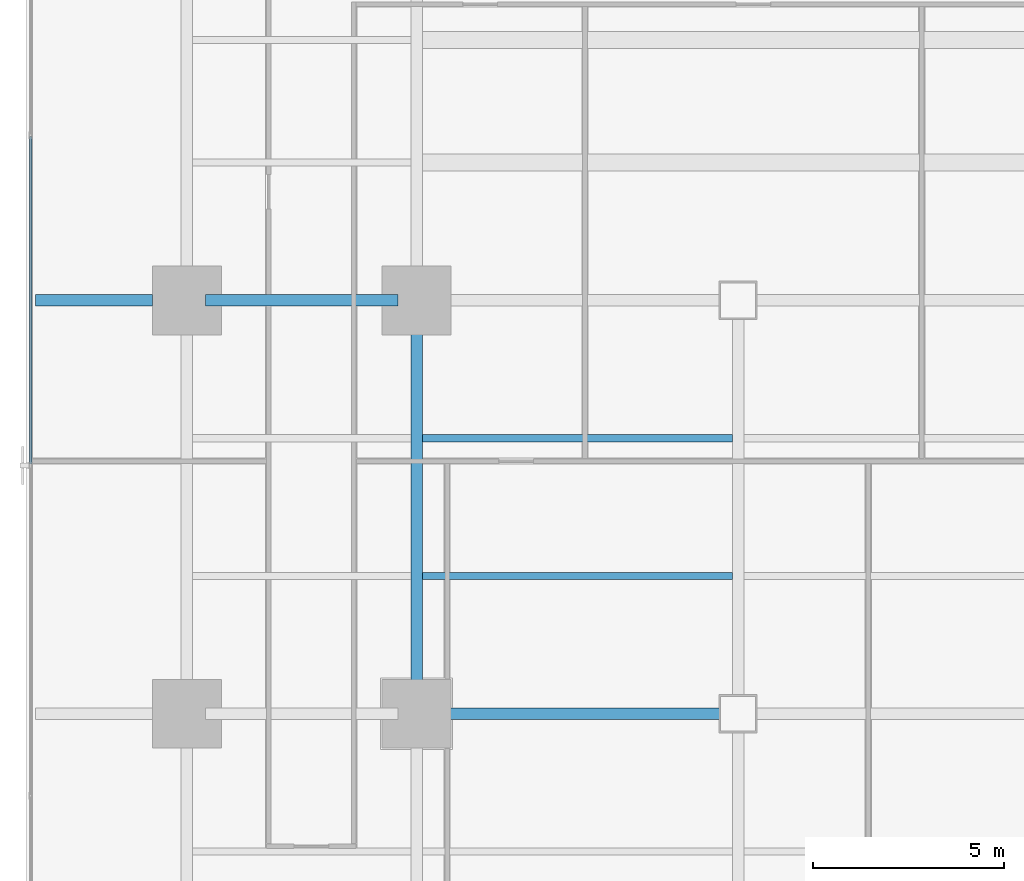
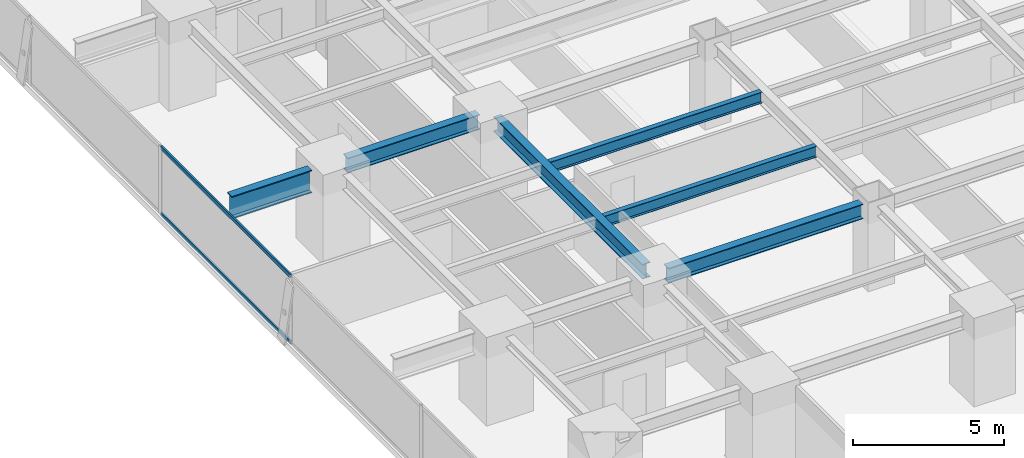
# One storey, part 8 of 33: 6 beams, 2 members, 1 element without a shape of its own.
"""IFC4 building model written with IfcOpenShell, lengths in metres."""

from ifc_helpers import new_model, si_unit, direction, frame, origin, origin_2d, place, context, subcontext, project, spatial, hollow_rectangle, i_section, extrude, source, transform, mapped, material, layer, layer_set, material_profile, profile_set, type_object, element, aggregate, save


model = new_model("IFC4")

# Units and contexts
model_context = context("Model", 3, precision=1e-05, world=origin(), true_north=direction((0.0, 1.0)))
body_context = subcontext(model_context, "Body", "Model", "MODEL_VIEW")
ifc_project = project(units=[si_unit("LENGTHUNIT", "METRE"), si_unit("AREAUNIT", "SQUARE_METRE"), si_unit("VOLUMEUNIT", "CUBIC_METRE"), si_unit("PLANEANGLEUNIT", "RADIAN"), si_unit("MASSUNIT", "GRAM", prefix="KILO")], contexts=[model_context])

# Site, building, storey
site_placement = place(None, origin())
site = spatial("IfcSite", under=ifc_project, at=site_placement, CompositionType="ELEMENT")
building_placement = place(site_placement, origin())
building = spatial("IfcBuilding", under=site, at=building_placement, Name="Sumidabori Civic Tower", CompositionType="ELEMENT")
storey_placement = place(building_placement, frame((0.0, 0.0, 23.60009765625)))
storey = spatial("IfcBuildingStorey", under=building, at=storey_placement, Name="L05", CompositionType="ELEMENT", Elevation=23.60009765625)

# Beams
ifc_material_1 = material(Name="Steel SN490", Category="steel")
ifc_material_profile_1 = material_profile(ifc_material_1, i_section(OverallWidth=0.300048828125, OverallDepth=0.60009765625, WebThickness=0.015380859375, FlangeThickness=0.030029296875, at=origin_2d()), Name="HE 600 B")
ifc_profile_set_1 = profile_set([ifc_material_profile_1], Name="Steel SN490")
beam_type_1 = type_object("IfcBeamType", Name="BM-GIRD-600", PredefinedType="BEAM", material=ifc_profile_set_1)
shared_shape_1 = source(origin(), body_context, "Body", "SweptSolid", [
    extrude(i_section(OverallWidth=0.300048828125, OverallDepth=0.60009765625, WebThickness=0.015380859375, FlangeThickness=0.030029296875, at=origin_2d()), origin(), (0.0, 0.0, 1.0), 5.0400390625),
])
beam_1_placement = place(storey_placement, frame((-22.320068359375, 0.0, 3.059814453125), z_axis=(1.0, 0.0, 0.0), x_axis=(0.0, 1.0, 0.0)))
element("IfcBeam", 1, at=beam_1_placement, inside=storey, type_object=beam_type_1, Name="Primary Girder L05 GX-13", PredefinedType="BEAM", context=body_context, shape_type="MappedRepresentation", body=[
    mapped(shared_shape_1, transform((0.0, 0.0, 0.0), x_axis=(1.0, 0.0, 0.0), y_axis=(0.0, 1.0, 0.0), z_axis=(0.0, 0.0, 1.0), scale=1.0)),
])
shared_shape_2 = source(origin(), body_context, "Body", "SweptSolid", [
    extrude(i_section(OverallWidth=0.300048828125, OverallDepth=0.60009765625, WebThickness=0.015380859375, FlangeThickness=0.030029296875, at=origin_2d()), origin(), (0.0, 0.0, 1.0), 7.440185546875),
])
beam_2_placement = place(storey_placement, frame((-16.320068359375, -10.800048828125, 3.059814453125), z_axis=(1.0, 0.0, 0.0), x_axis=(0.0, 1.0, 0.0)))
element("IfcBeam", 2, at=beam_2_placement, inside=storey, type_object=beam_type_1, Name="Primary Girder L05 GX-08", PredefinedType="BEAM", context=body_context, shape_type="MappedRepresentation", body=[
    mapped(shared_shape_2, transform((0.0, 0.0, 0.0), x_axis=(1.0, 0.0, 0.0), y_axis=(0.0, 1.0, 0.0), z_axis=(0.0, 0.0, 1.0), scale=1.0)),
])
shared_shape_3 = source(origin(), body_context, "Body", "SweptSolid", [
    extrude(i_section(OverallWidth=0.300048828125, OverallDepth=0.60009765625, WebThickness=0.015380859375, FlangeThickness=0.030029296875, at=origin_2d()), origin(), (0.0, 0.0, 1.0), 9.840087890625),
])
beam_3_placement = place(storey_placement, frame((-16.800048828125, -10.320068359375, 3.059814453125), z_axis=(0.0, 1.0, 0.0), x_axis=(-1.0, 0.0, 0.0)))
element("IfcBeam", 3, at=beam_3_placement, inside=storey, type_object=beam_type_1, Name="Primary Girder L05 GY-26", PredefinedType="BEAM", context=body_context, shape_type="MappedRepresentation", body=[
    mapped(shared_shape_3, transform((0.0, 0.0, 0.0), x_axis=(1.0, 0.0, 0.0), y_axis=(0.0, 1.0, 0.0), z_axis=(0.0, 0.0, 1.0), scale=1.0)),
])
ifc_material_profile_2 = material_profile(ifc_material_1, i_section(OverallWidth=0.302001953125, OverallDepth=0.909912109375, WebThickness=0.02099609375, FlangeThickness=0.0400390625, at=origin_2d()), Name="HE 900 M")
ifc_profile_set_2 = profile_set([ifc_material_profile_2], Name="Steel SN490")
beam_type_2 = type_object("IfcBeamType", Name="BM-Z1-EDGE", PredefinedType="SPANDREL", material=ifc_profile_set_2)
shared_shape_4 = source(origin(), body_context, "Body", "SweptSolid", [
    extrude(i_section(OverallWidth=0.302001953125, OverallDepth=0.909912109375, WebThickness=0.02099609375, FlangeThickness=0.0400390625, at=origin_2d()), origin(), (0.0, 0.0, 1.0), 3.050048828125),
])
beam_4_placement = place(storey_placement, frame((-26.75, 0.0, 2.90478515625), z_axis=(1.0, 0.0, 0.0), x_axis=(0.0, 1.0, 0.0)))
element("IfcBeam", 4, at=beam_4_placement, inside=storey, type_object=beam_type_2, Name="Perimeter Overhang Beam L05 W-46", PredefinedType="SPANDREL", context=body_context, shape_type="MappedRepresentation", body=[
    mapped(shared_shape_4, transform((0.0, 0.0, 0.0), x_axis=(1.0, 0.0, 0.0), y_axis=(0.0, 1.0, 0.0), z_axis=(0.0, 0.0, 1.0), scale=1.0)),
])
ifc_material_profile_3 = material_profile(ifc_material_1, i_section(OverallWidth=0.18994140625, OverallDepth=0.449951171875, WebThickness=0.009521484375, FlangeThickness=0.0146484375, at=origin_2d()), Name="IPE 450")
ifc_profile_set_3 = profile_set([ifc_material_profile_3], Name="Steel SN490")
beam_type_3 = type_object("IfcBeamType", Name="BM-JST-450", PredefinedType="JOIST", material=ifc_profile_set_3)
shared_shape_5 = source(origin(), body_context, "Body", "SweptSolid", [
    extrude(i_section(OverallWidth=0.18994140625, OverallDepth=0.449951171875, WebThickness=0.009521484375, FlangeThickness=0.0146484375, at=origin_2d()), origin(), (0.0, 0.0, 1.0), 8.099853515625),
])
for number, where, z_axis, x_axis, name in (
    (5, (-16.64990234375, -7.199951171875, 3.135009765625), (1.0, 0.0, 0.0), (0.0, 1.0, 0.0), "South Bay Floor Joist L05 JSTS-65"),
    (6, (-16.64990234375, -3.60009765625, 3.135009765625), (1.0, 0.0, 0.0), (0.0, 1.0, 0.0), "South Bay Floor Joist L05 JSTS-69"),
):
    element("IfcBeam", number, at=place(storey_placement, frame(where, z_axis=z_axis, x_axis=x_axis)), inside=storey, type_object=beam_type_3, Name=name, PredefinedType="JOIST", context=body_context, shape_type="MappedRepresentation", body=[
        mapped(shared_shape_5, transform((0.0, 0.0, 0.0), x_axis=(1.0, 0.0, 0.0), y_axis=(0.0, 1.0, 0.0), z_axis=(0.0, 0.0, 1.0), scale=1.0)),
    ])

# Curtain wall, members
ifc_material_2 = material(Name="Anodised Bronze Aluminium AW-6063-T6", Category="aluminium")
ifc_layer = layer(ifc_material_2, 0.179931640625, Name="Anodised Bronze Aluminium AW-6063-T6")
ifc_layer_set = layer_set([ifc_layer], Name="Anodised Bronze Aluminium AW-6063-T6")
curtain_wall_type = type_object("IfcCurtainWallType", Name="CW-SYS-2", PredefinedType="NOTDEFINED", material=ifc_layer_set)
curtain_wall_placement = place(storey_placement, origin())
curtain_wall = element("IfcCurtainWall", 7, at=curtain_wall_placement, inside=storey, type_object=curtain_wall_type, Name="Curtain Wall CW:L05:R11", PredefinedType="NOTDEFINED")
ifc_material_profile_4 = material_profile(ifc_material_2, hollow_rectangle(XDim=0.06494140625, YDim=0.14990234375, WallThickness=0.0048828125, at=origin_2d()), Name="ALU TRANSOM 150x65")
ifc_profile_set_4 = profile_set([ifc_material_profile_4], Name="Anodised Bronze Aluminium AW-6063-T6")
member_type = type_object("IfcMemberType", Name="CW-TRN-150", PredefinedType="USERDEFINED", material=ifc_profile_set_4)
shared_shape_6 = source(origin(), body_context, "Body", "SweptSolid", [
    extrude(hollow_rectangle(XDim=0.06494140625, YDim=0.14990234375, WallThickness=0.0048828125, at=origin_2d()), origin(), (0.0, 0.0, 1.0), 8.55810546875),
])
member_1_placement = place(storey_placement, frame((-26.8798828125, 4.279052734375, 0.032470703125), z_axis=(0.0, -1.0, 0.0), x_axis=(1.0, 0.0, 0.0)))
member_1 = element("IfcMember", 8, at=member_1_placement, type_object=member_type, Name="CW-2 transom 3.1", ObjectType="TRANSOM", PredefinedType="USERDEFINED", context=body_context, shape_type="MappedRepresentation", body=[
    mapped(shared_shape_6, transform((0.0, 0.0, 0.0), x_axis=(1.0, 0.0, 0.0), y_axis=(0.0, 1.0, 0.0), z_axis=(0.0, 0.0, 1.0), scale=1.0)),
])
member_2_placement = place(storey_placement, frame((-26.8798828125, 4.279052734375, 2.70751953125), z_axis=(0.0, -1.0, 0.0), x_axis=(1.0, 0.0, 0.0)))
member_2 = element("IfcMember", 9, at=member_2_placement, type_object=member_type, Name="CW-2 transom 3.2", ObjectType="TRANSOM", PredefinedType="USERDEFINED", context=body_context, shape_type="MappedRepresentation", body=[
    mapped(shared_shape_6, transform((0.0, 0.0, 0.0), x_axis=(1.0, 0.0, 0.0), y_axis=(0.0, 1.0, 0.0), z_axis=(0.0, 0.0, 1.0), scale=1.0)),
])
aggregate(curtain_wall, [member_1, member_2])

save(model, "model.ifc")
